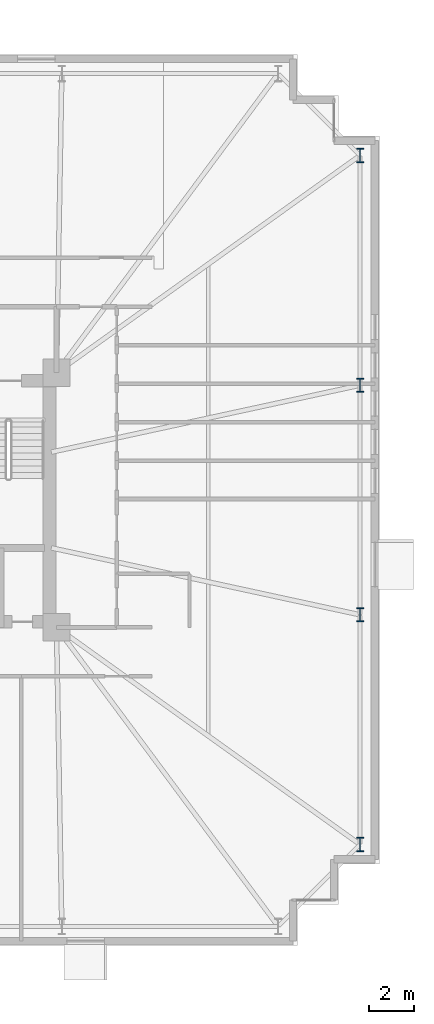
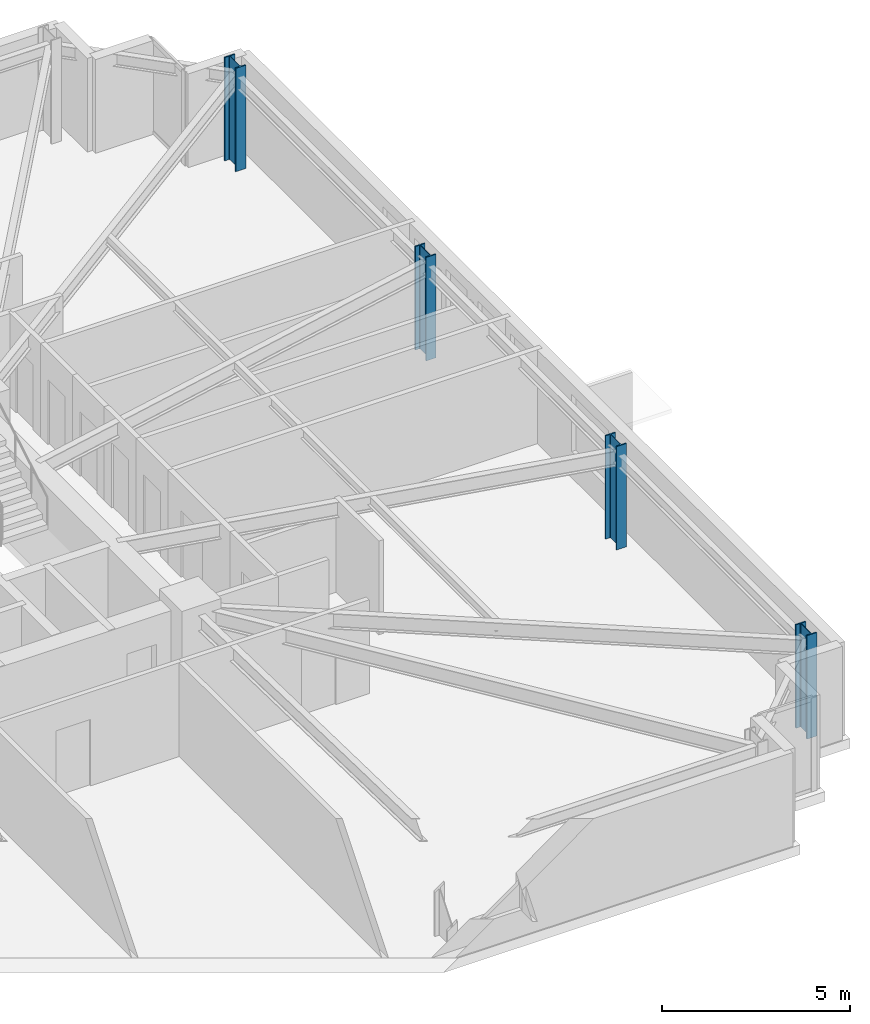
# One storey, part 3 of 26: 4 columns.
"""IFC4 building model written with IfcOpenShell, lengths in metres."""

from ifc_helpers import new_model, si_unit, direction, frame, origin, origin_2d, place, context, subcontext, project, spatial, i_section, extrude, material, material_profile, profile_set, type_object, element, save


model = new_model("IFC4")

# Units and contexts
model_context = context("Model", 3, precision=1e-05, world=origin(), true_north=direction((0.0, 1.0)))
body_context = subcontext(model_context, "Body", "Model", "MODEL_VIEW")
ifc_project = project(units=[si_unit("LENGTHUNIT", "METRE"), si_unit("AREAUNIT", "SQUARE_METRE"), si_unit("VOLUMEUNIT", "CUBIC_METRE"), si_unit("PLANEANGLEUNIT", "RADIAN"), si_unit("MASSUNIT", "GRAM", prefix="KILO")], contexts=[model_context])

# Site, building, storey
site_placement = place(None, origin())
site = spatial("IfcSite", under=ifc_project, at=site_placement, CompositionType="ELEMENT")
building_placement = place(site_placement, origin())
building = spatial("IfcBuilding", under=site, at=building_placement, Name="Qobustan Lattice House", CompositionType="ELEMENT")
storey_placement = place(building_placement, frame((0.0, 0.0, 47.10009765625)))
storey = spatial("IfcBuildingStorey", under=building, at=storey_placement, Name="L12", CompositionType="ELEMENT", Elevation=47.10009765625)

# Columns
ifc_material = material(Name="Steel S460", Category="steel")
ifc_material_profile = material_profile(ifc_material, i_section(OverallWidth=0.304931640625, OverallDepth=0.6201171875, WebThickness=0.02099609375, FlangeThickness=0.0400390625, FilletRadius=0.027099609375, at=origin_2d()), Name="HEM600")
ifc_profile_set = profile_set([ifc_material_profile], Name="Steel S460")
column_type = type_object("IfcColumnType", Name="COL-ST-HEM600", PredefinedType="COLUMN", material=ifc_profile_set)
for number, where, z_axis, x_axis, name in (
    (1, (32.14990234375, -15.14990234375, 0.0), (0.0, 0.0, 1.0), (1.0, 0.0, 0.0), "L12 B1 perimeter column E1"),
    (2, (32.14990234375, -5.050048828125, 0.0), (0.0, 0.0, 1.0), (1.0, 0.0, 0.0), "L12 B1 perimeter column E2"),
    (3, (32.14990234375, 5.050048828125, 0.0), (0.0, 0.0, 1.0), (1.0, 0.0, 0.0), "L12 B1 perimeter column E3"),
    (4, (32.14990234375, 15.14990234375, 0.0), (0.0, 0.0, 1.0), (1.0, 0.0, 0.0), "L12 B1 perimeter column E4"),
):
    element("IfcColumn", number, at=place(storey_placement, frame(where, z_axis=z_axis, x_axis=x_axis)), inside=storey, type_object=column_type, Name=name, PredefinedType="COLUMN", context=body_context, shape_type="SweptSolid", body=[
        extrude(i_section(OverallWidth=0.304931640625, OverallDepth=0.6201171875, WebThickness=0.02099609375, FlangeThickness=0.0400390625, FilletRadius=0.027099609375, at=origin_2d()), origin(), (0.0, 0.0, 1.0), 3.349853515625),
    ])

save(model, "model.ifc")
